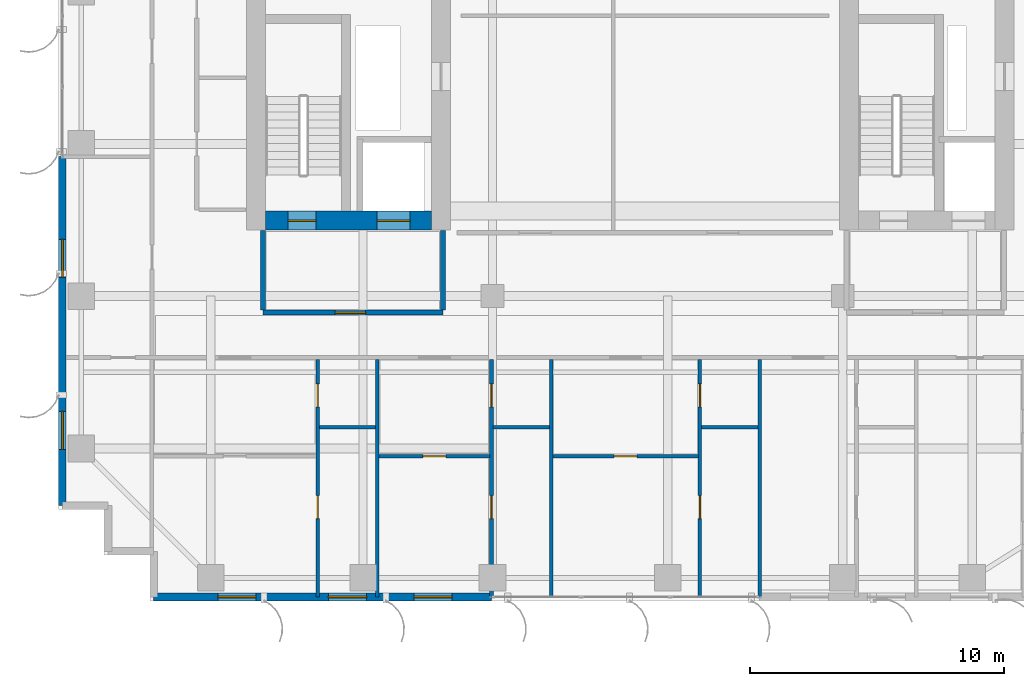
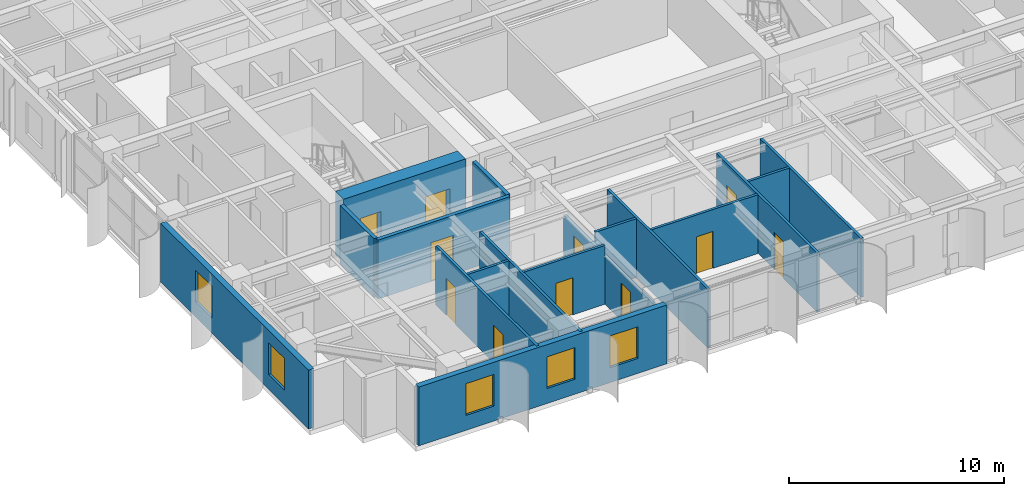
# One storey, part 13 of 22: 17 walls, 11 doors, 5 windows, 16 openings.
"""IFC4 building model written with IfcOpenShell, lengths in metres."""

from ifc_helpers import new_model, si_unit, direction, frame, frame_2d, origin, place, context, subcontext, project, spatial, rectangle, extrude, source, transform, mapped, material, layer, layer_set, type_object, element, fill, save


model = new_model("IFC4")

# Units and contexts
model_context = context("Model", 3, precision=1e-05, world=origin(), true_north=direction((0.0, 1.0)))
body_context = subcontext(model_context, "Body", "Model", "MODEL_VIEW")
ifc_project = project(units=[si_unit("LENGTHUNIT", "METRE"), si_unit("AREAUNIT", "SQUARE_METRE"), si_unit("VOLUMEUNIT", "CUBIC_METRE"), si_unit("PLANEANGLEUNIT", "RADIAN"), si_unit("MASSUNIT", "GRAM", prefix="KILO")], contexts=[model_context])

# Site, building, storey
site_placement = place(None, origin())
site = spatial("IfcSite", under=ifc_project, at=site_placement, CompositionType="ELEMENT")
building_placement = place(site_placement, origin())
building = spatial("IfcBuilding", under=site, at=building_placement, Name="Khoralis Quay Care Tower", CompositionType="ELEMENT")
storey_placement = place(building_placement, frame((0.0, 0.0, 98.10009765625)))
storey = spatial("IfcBuildingStorey", under=building, at=storey_placement, Name="L25", CompositionType="ELEMENT", Elevation=98.10009765625)

# Wall, opening, door
ifc_material_1 = material(Name="Gypsum plasterboard on acoustic metal stud")
ifc_layer_1 = layer(ifc_material_1, 0.199951171875)
ifc_layer_set_1 = layer_set([ifc_layer_1], Name="Gypsum plasterboard on acoustic metal stud")
wall_type_1 = type_object("IfcWallType", Name="WL-COMP-200", PredefinedType="PARTITIONING", material=ifc_layer_set_1)
wall_1_placement = place(storey_placement, frame((8.050048828125, 11.35009765625, 0.0), z_axis=(0.0, 0.0, 1.0), x_axis=(1.0, 0.0, 0.0)))
wall_1 = element("IfcWall", 1, at=wall_1_placement, inside=storey, type_object=wall_type_1, Name="L25 West Firefighting Lobby South Wall", PredefinedType="PARTITIONING", context=body_context, shape_type="SweptSolid", body=[
    extrude(rectangle(XDim=7.099853515625, YDim=0.199951171875, at=frame_2d((3.5498046875, 0.0))), origin(), (0.0, 0.0, 1.0), 3.33984375),
])
opening_1_placement = place(wall_1_placement, frame((2.846435546875, 0.0, 0.0)))
opening_1 = element("IfcOpeningElement", 2, at=opening_1_placement, cuts=wall_1, Name="Opening FD1", PredefinedType="OPENING", context=body_context, shape_type="SweptSolid", body=[
    extrude(rectangle(XDim=1.199951171875, YDim=2.199951171875, at=frame_2d((0.60009765625, 1.10009765625))), frame((0.0, 0.10986328125, 0.0), z_axis=(0.0, -1.0, 0.0), x_axis=(1.0, 0.0, 0.0)), (0.0, 0.0, 1.0), 0.219970703125),
])
ifc_material_2 = material(Name="Fire-rated painted steel", Category="steel")
door_type_1 = type_object("IfcDoorType", Name="DR-FFL-1200X2200", OperationType="NOTDEFINED", PredefinedType="DOOR", material=ifc_material_2)
shared_shape_1 = source(origin(), body_context, "Body", "SweptSolid", [
    extrude(rectangle(XDim=1.199951171875, YDim=2.199951171875, at=frame_2d((0.60009765625, 1.10009765625))), frame((0.0, 0.02490234375, 0.0), z_axis=(0.0, -1.0, 0.0), x_axis=(1.0, 0.0, 0.0)), (0.0, 0.0, 1.0), 0.050048828125),
])
door_1_placement = place(opening_1_placement, origin())
door_1 = element("IfcDoor", 3, at=door_1_placement, inside=storey, type_object=door_type_1, Name="L25 West Firefighting Lobby Fire Door", OperationType="SINGLE_SWING_LEFT", OverallHeight=2.199951171875, OverallWidth=1.199951171875, PredefinedType="DOOR", context=body_context, shape_type="MappedRepresentation", body=[
    mapped(shared_shape_1, transform((0.0, 0.0, 0.0), scale=1.0)),
])
fill(opening_1, door_1)

# Walls
for number, where, z_axis, x_axis, name in (
    (4, (8.050048828125, 11.445068359375, 0.0), (0.0, 0.0, 1.0), (0.0, 1.0, 0.0), "L25 West Firefighting Lobby West Wall"),
    (5, (15.14990234375, 11.445068359375, 0.0), (0.0, 0.0, 1.0), (0.0, 1.0, 0.0), "L25 West Firefighting Lobby East Wall"),
):
    element("IfcWall", number, at=place(storey_placement, frame(where, z_axis=z_axis, x_axis=x_axis)), inside=storey, type_object=wall_type_1, Name=name, PredefinedType="PARTITIONING", context=body_context, shape_type="SweptSolid", body=[
        extrude(rectangle(XDim=3.135009765625, YDim=0.199951171875, at=frame_2d((1.5673828125, 0.0))), origin(), (0.0, 0.0, 1.0), 3.33984375),
    ])

# Wall, openings, doors
ifc_material_3 = material(Name="Concrete C80/95", Category="concrete")
ifc_layer_2 = layer(ifc_material_3, 0.75)
ifc_layer_set_2 = layer_set([ifc_layer_2], Name="Concrete C80/95")
wall_type_2 = type_object("IfcWallType", Name="WL-CORE-750", PredefinedType="SHEAR", material=ifc_layer_set_2)
wall_2_placement = place(storey_placement, frame((8.14990234375, 14.97509765625, 0.0), z_axis=(0.0, 0.0, 1.0), x_axis=(1.0, 0.0, 0.0)))
wall_2 = element("IfcWall", 6, at=wall_2_placement, inside=storey, type_object=wall_type_2, Name="L25 WCORE South Shear Wall", PredefinedType="SHEAR", context=body_context, shape_type="SweptSolid", body=[
    extrude(rectangle(XDim=6.550048828125, YDim=0.75, at=frame_2d((3.27490234375, 0.0))), origin(), (0.0, 0.0, 1.0), 3.599853515625),
])
opening_2_placement = place(wall_2_placement, frame((0.89990234375, 0.0, 0.0)))
opening_2 = element("IfcOpeningElement", 7, at=opening_2_placement, cuts=wall_2, Name="Opening SD1", PredefinedType="OPENING", context=body_context, shape_type="SweptSolid", body=[
    extrude(rectangle(XDim=1.10009765625, YDim=2.199951171875, at=frame_2d((0.550048828125, 1.10009765625))), frame((0.0, 0.385009765625, 0.0), z_axis=(0.0, -1.0, 0.0), x_axis=(1.0, 0.0, 0.0)), (0.0, 0.0, 1.0), 0.77001953125),
])
opening_3_placement = place(wall_2_placement, frame((4.39990234375, 0.0, 0.0)))
opening_3 = element("IfcOpeningElement", 8, at=opening_3_placement, cuts=wall_2, Name="Opening LD2", PredefinedType="OPENING", context=body_context, shape_type="SweptSolid", body=[
    extrude(rectangle(XDim=1.300048828125, YDim=2.199951171875, at=frame_2d((0.64990234375, 1.10009765625))), frame((0.0, 0.385009765625, 0.0), z_axis=(0.0, -1.0, 0.0), x_axis=(1.0, 0.0, 0.0)), (0.0, 0.0, 1.0), 0.77001953125),
])
door_type_2 = type_object("IfcDoorType", Name="DR-STAIR-1100X2200", OperationType="NOTDEFINED", PredefinedType="DOOR", material=ifc_material_2)
shared_shape_2 = source(origin(), body_context, "Body", "SweptSolid", [
    extrude(rectangle(XDim=1.10009765625, YDim=2.199951171875, at=frame_2d((0.550048828125, 1.10009765625))), frame((0.0, 0.02490234375, 0.0), z_axis=(0.0, -1.0, 0.0), x_axis=(1.0, 0.0, 0.0)), (0.0, 0.0, 1.0), 0.050048828125),
])
door_2_placement = place(opening_2_placement, origin())
door_2 = element("IfcDoor", 9, at=door_2_placement, inside=storey, type_object=door_type_2, Name="L25 Stair ST-T1 Fire Door", OperationType="SINGLE_SWING_LEFT", OverallHeight=2.199951171875, OverallWidth=1.10009765625, PredefinedType="DOOR", context=body_context, shape_type="MappedRepresentation", body=[
    mapped(shared_shape_2, transform((0.0, 0.0, 0.0), scale=1.0)),
])
fill(opening_2, door_2)
ifc_material_4 = material(Name="Brushed stainless steel", Category="steel")
door_type_3 = type_object("IfcDoorType", Name="DR-LIFT-1300X2200", OperationType="SLIDING_TO_RIGHT", PredefinedType="DOOR", material=ifc_material_4)
shared_shape_3 = source(origin(), body_context, "Body", "SweptSolid", [
    extrude(rectangle(XDim=1.300048828125, YDim=2.199951171875, at=frame_2d((0.64990234375, 1.10009765625))), frame((0.0, 0.02490234375, 0.0), z_axis=(0.0, -1.0, 0.0), x_axis=(1.0, 0.0, 0.0)), (0.0, 0.0, 1.0), 0.050048828125),
])
door_3_placement = place(opening_3_placement, origin())
door_3 = element("IfcDoor", 10, at=door_3_placement, inside=storey, type_object=door_type_3, Name="L25 Firefighting Lift FFL-1 Landing Door", OperationType="SLIDING_TO_RIGHT", OverallHeight=2.199951171875, OverallWidth=1.300048828125, PredefinedType="DOOR", context=body_context, shape_type="MappedRepresentation", body=[
    mapped(shared_shape_3, transform((0.0, 0.0, 0.0), scale=1.0)),
])
fill(opening_3, door_3)

# Wall, openings, windows
ifc_material_5 = material(Name="Precast concrete C45/55", Category="concrete")
ifc_layer_3 = layer(ifc_material_5, 0.300048828125)
ifc_layer_set_3 = layer_set([ifc_layer_3], Name="Precast concrete C45/55")
wall_type_3 = type_object("IfcWallType", Name="WL-EXT-REF-300", PredefinedType="SOLIDWALL", material=ifc_layer_set_3)
wall_3_placement = place(storey_placement, frame((3.75, 0.14990234375, 0.0), z_axis=(0.0, 0.0, 1.0), x_axis=(1.0, 0.0, 0.0)))
wall_3 = element("IfcWall", 11, at=wall_3_placement, inside=storey, type_object=wall_type_3, Name="L25 External Facade Wall WL-EXT-L25-P1-E0A", PredefinedType="SOLIDWALL", context=body_context, shape_type="SweptSolid", body=[
    extrude(rectangle(XDim=13.31005859375, YDim=0.300048828125, at=frame_2d((6.655029296875, 0.0))), origin(), (0.0, 0.0, 1.0), 3.33984375),
])
opening_4_placement = place(wall_3_placement, frame((2.530029296875, 0.0, 0.85009765625)))
opening_4 = element("IfcOpeningElement", 12, at=opening_4_placement, cuts=wall_3, Name="Opening W3", PredefinedType="OPENING", context=body_context, shape_type="SweptSolid", body=[
    extrude(rectangle(XDim=1.5, YDim=1.800048828125, at=frame_2d((0.75, 0.89990234375))), frame((0.0, 0.16015625, 0.0), z_axis=(0.0, -1.0, 0.0), x_axis=(1.0, 0.0, 0.0)), (0.0, 0.0, 1.0), 0.320068359375),
])
opening_5_placement = place(wall_3_placement, frame((6.885009765625, 0.0, 0.85009765625)))
opening_5 = element("IfcOpeningElement", 13, at=opening_5_placement, cuts=wall_3, Name="Opening W3", PredefinedType="OPENING", context=body_context, shape_type="SweptSolid", body=[
    extrude(rectangle(XDim=1.5, YDim=1.800048828125, at=frame_2d((0.75, 0.89990234375))), frame((0.0, 0.16015625, 0.0), z_axis=(0.0, -1.0, 0.0), x_axis=(1.0, 0.0, 0.0)), (0.0, 0.0, 1.0), 0.320068359375),
])
opening_6_placement = place(wall_3_placement, frame((10.260009765625, 0.0, 0.85009765625)))
opening_6 = element("IfcOpeningElement", 14, at=opening_6_placement, cuts=wall_3, Name="Opening W3", PredefinedType="OPENING", context=body_context, shape_type="SweptSolid", body=[
    extrude(rectangle(XDim=1.5, YDim=1.800048828125, at=frame_2d((0.75, 0.89990234375))), frame((0.0, 0.16015625, 0.0), z_axis=(0.0, -1.0, 0.0), x_axis=(1.0, 0.0, 0.0)), (0.0, 0.0, 1.0), 0.320068359375),
])
ifc_material_6 = material(Name="Low-E solar-control double glazing", Category="glass")
window_type = type_object("IfcWindowType", Name="WN-CLIN-1500X1800", PartitioningType="SINGLE_PANEL", PredefinedType="WINDOW", material=ifc_material_6)
shared_shape_4 = source(origin(), body_context, "Body", "SweptSolid", [
    extrude(rectangle(XDim=1.5, YDim=1.800048828125, at=frame_2d((0.75, 0.89990234375))), frame((0.0, 0.030029296875, 0.0), z_axis=(0.0, -1.0, 0.0), x_axis=(1.0, 0.0, 0.0)), (0.0, 0.0, 1.0), 0.06005859375),
])
window_1_placement = place(opening_4_placement, origin())
window_1 = element("IfcWindow", 15, at=window_1_placement, inside=storey, type_object=window_type, Name="WN-L25-P1-E0A Facade Window 01", OverallHeight=1.800048828125, OverallWidth=1.5, PartitioningType="SINGLE_PANEL", PredefinedType="WINDOW", context=body_context, shape_type="MappedRepresentation", body=[
    mapped(shared_shape_4, transform((0.0, 0.0, 0.0), scale=1.0)),
])
fill(opening_4, window_1)
window_2_placement = place(opening_5_placement, origin())
window_2 = element("IfcWindow", 16, at=window_2_placement, inside=storey, type_object=window_type, Name="WN-L25-P1-E0A Facade Window 02", OverallHeight=1.800048828125, OverallWidth=1.5, PartitioningType="SINGLE_PANEL", PredefinedType="WINDOW", context=body_context, shape_type="MappedRepresentation", body=[
    mapped(shared_shape_4, transform((0.0, 0.0, 0.0), scale=1.0)),
])
fill(opening_5, window_2)
window_3_placement = place(opening_6_placement, origin())
window_3 = element("IfcWindow", 17, at=window_3_placement, inside=storey, type_object=window_type, Name="WN-L25-P1-E0A Facade Window 03", OverallHeight=1.800048828125, OverallWidth=1.5, PartitioningType="SINGLE_PANEL", PredefinedType="WINDOW", context=body_context, shape_type="MappedRepresentation", body=[
    mapped(shared_shape_4, transform((0.0, 0.0, 0.0), scale=1.0)),
])
fill(opening_6, window_3)

wall_4_placement = place(storey_placement, frame((0.14990234375, 17.5, 0.0), z_axis=(0.0, 0.0, 1.0), x_axis=(0.0, -1.0, 0.0)))
wall_4 = element("IfcWall", 18, at=wall_4_placement, inside=storey, type_object=wall_type_3, Name="L25 External Facade Wall WL-EXT-L25-P1-E15B", PredefinedType="SOLIDWALL", context=body_context, shape_type="SweptSolid", body=[
    extrude(rectangle(XDim=13.75, YDim=0.300048828125, at=frame_2d((6.875, 0.0))), origin(), (0.0, 0.0, 1.0), 3.33984375),
])
opening_7_placement = place(wall_4_placement, frame((3.260009765625, 0.0, 0.85009765625)))
opening_7 = element("IfcOpeningElement", 19, at=opening_7_placement, cuts=wall_4, Name="Opening W3", PredefinedType="OPENING", context=body_context, shape_type="SweptSolid", body=[
    extrude(rectangle(XDim=1.5, YDim=1.800048828125, at=frame_2d((0.75, 0.89990234375))), frame((0.0, 0.16015625, 0.0), z_axis=(0.0, -1.0, 0.0), x_axis=(1.0, 0.0, 0.0)), (0.0, 0.0, 1.0), 0.320068359375),
])
opening_8_placement = place(wall_4_placement, frame((10.034912109375, 0.0, 0.85009765625)))
opening_8 = element("IfcOpeningElement", 20, at=opening_8_placement, cuts=wall_4, Name="Opening W3", PredefinedType="OPENING", context=body_context, shape_type="SweptSolid", body=[
    extrude(rectangle(XDim=1.5, YDim=1.800048828125, at=frame_2d((0.75, 0.89990234375))), frame((0.0, 0.16015625, 0.0), z_axis=(0.0, -1.0, 0.0), x_axis=(1.0, 0.0, 0.0)), (0.0, 0.0, 1.0), 0.320068359375),
])
window_4_placement = place(opening_7_placement, origin())
window_4 = element("IfcWindow", 21, at=window_4_placement, inside=storey, type_object=window_type, Name="WN-L25-P1-E15B Facade Window 01", OverallHeight=1.800048828125, OverallWidth=1.5, PartitioningType="SINGLE_PANEL", PredefinedType="WINDOW", context=body_context, shape_type="MappedRepresentation", body=[
    mapped(shared_shape_4, transform((0.0, 0.0, 0.0), scale=1.0)),
])
fill(opening_7, window_4)
window_5_placement = place(opening_8_placement, origin())
window_5 = element("IfcWindow", 22, at=window_5_placement, inside=storey, type_object=window_type, Name="WN-L25-P1-E15B Facade Window 02", OverallHeight=1.800048828125, OverallWidth=1.5, PartitioningType="SINGLE_PANEL", PredefinedType="WINDOW", context=body_context, shape_type="MappedRepresentation", body=[
    mapped(shared_shape_4, transform((0.0, 0.0, 0.0), scale=1.0)),
])
fill(opening_8, window_5)

# Wall, openings, doors
ifc_material_7 = material(Name="Moisture-resistant gypsum and ceramic tile")
ifc_layer_4 = layer(ifc_material_7, 0.280029296875)
ifc_layer_set_4 = layer_set([ifc_layer_4], Name="Moisture-resistant gypsum and ceramic tile")
wall_type_4 = type_object("IfcWallType", Name="WL-PLUMB-280", PredefinedType="PLUMBINGWALL", material=ifc_layer_set_4)
wall_5_placement = place(storey_placement, frame((10.2099609375, 0.14501953125, 0.0), z_axis=(0.0, 0.0, 1.0), x_axis=(0.0, 1.0, 0.0)))
wall_5 = element("IfcWall", 23, at=wall_5_placement, inside=storey, type_object=wall_type_4, Name="L25 Care Suite 0 En-Suite Wall V", PredefinedType="PLUMBINGWALL", context=body_context, shape_type="SweptSolid", body=[
    extrude(rectangle(XDim=9.357421875, YDim=0.139892578125, at=frame_2d((4.6787109375, 0.0))), origin(), (0.0, 0.0, 1.0), 3.33984375),
])
opening_9_placement = place(wall_5_placement, frame((7.4951171875, 0.0, 0.0)))
opening_9 = element("IfcOpeningElement", 24, at=opening_9_placement, cuts=wall_5, Name="Opening WD1", PredefinedType="OPENING", context=body_context, shape_type="SweptSolid", body=[
    extrude(rectangle(XDim=0.89990234375, YDim=2.10009765625, at=frame_2d((0.449951171875, 1.050048828125))), frame((0.0, 0.080078125, 0.0), z_axis=(0.0, -1.0, 0.0), x_axis=(1.0, 0.0, 0.0)), (0.0, 0.0, 1.0), 0.159912109375),
])
opening_10_placement = place(wall_5_placement, frame((3.094970703125, 0.0, 0.0)))
opening_10 = element("IfcOpeningElement", 25, at=opening_10_placement, cuts=wall_5, Name="Opening WD1", PredefinedType="OPENING", context=body_context, shape_type="SweptSolid", body=[
    extrude(rectangle(XDim=0.89990234375, YDim=2.10009765625, at=frame_2d((0.449951171875, 1.050048828125))), frame((0.0, 0.080078125, 0.0), z_axis=(0.0, -1.0, 0.0), x_axis=(1.0, 0.0, 0.0)), (0.0, 0.0, 1.0), 0.159912109375),
])
ifc_material_8 = material(Name="Acoustic hardwood timber", Category="wood")
door_type_4 = type_object("IfcDoorType", Name="DR-BATH-900X2100", OperationType="NOTDEFINED", PredefinedType="DOOR", material=ifc_material_8)
shared_shape_5 = source(origin(), body_context, "Body", "SweptSolid", [
    extrude(rectangle(XDim=0.89990234375, YDim=2.10009765625, at=frame_2d((0.449951171875, 1.050048828125))), frame((0.0, 0.02490234375, 0.0), z_axis=(0.0, -1.0, 0.0), x_axis=(1.0, 0.0, 0.0)), (0.0, 0.0, 1.0), 0.050048828125),
])
door_4_placement = place(opening_9_placement, frame((0.89990234375, 0.0, 0.0), z_axis=(0.0, 0.0, 1.0), x_axis=(-1.0, 0.0, 0.0)))
door_4 = element("IfcDoor", 26, at=door_4_placement, inside=storey, type_object=door_type_4, Name="L25 Care CENS Door", OperationType="SINGLE_SWING_RIGHT", OverallHeight=2.10009765625, OverallWidth=0.89990234375, PredefinedType="DOOR", context=body_context, shape_type="MappedRepresentation", body=[
    mapped(shared_shape_5, transform((0.0, 0.0, 0.0), scale=1.0)),
])
fill(opening_9, door_4)
door_5_placement = place(opening_10_placement, frame((0.89990234375, 0.0, 0.0), z_axis=(0.0, 0.0, 1.0), x_axis=(-1.0, 0.0, 0.0)))
door_5 = element("IfcDoor", 27, at=door_5_placement, inside=storey, type_object=door_type_4, Name="L25 Care CSIT Door", OperationType="SINGLE_SWING_LEFT", OverallHeight=2.10009765625, OverallWidth=0.89990234375, PredefinedType="DOOR", context=body_context, shape_type="MappedRepresentation", body=[
    mapped(shared_shape_5, transform((0.0, 0.0, 0.0), scale=1.0)),
])
fill(opening_10, door_5)

# Wall
wall_6_placement = place(storey_placement, frame((10.27490234375, 6.830078125, 0.0), z_axis=(0.0, 0.0, 1.0), x_axis=(1.0, 0.0, 0.0)))
element("IfcWall", 28, at=wall_6_placement, inside=storey, type_object=wall_type_4, Name="L25 Care Suite 0 En-Suite Wall H", PredefinedType="PLUMBINGWALL", context=body_context, shape_type="SweptSolid", body=[
    extrude(rectangle(XDim=2.22021484375, YDim=0.139892578125, at=frame_2d((1.110107421875, 0.0))), origin(), (0.0, 0.0, 1.0), 3.33984375),
])

# Wall, openings, doors
wall_7_placement = place(storey_placement, frame((17.06005859375, 0.14501953125, 0.0), z_axis=(0.0, 0.0, 1.0), x_axis=(0.0, 1.0, 0.0)))
wall_7 = element("IfcWall", 29, at=wall_7_placement, inside=storey, type_object=wall_type_4, Name="L25 Care Suite 1 En-Suite Wall V", PredefinedType="PLUMBINGWALL", context=body_context, shape_type="SweptSolid", body=[
    extrude(rectangle(XDim=9.357421875, YDim=0.139892578125, at=frame_2d((4.6787109375, 0.0))), origin(), (0.0, 0.0, 1.0), 2.723876953125),
])
opening_11_placement = place(wall_7_placement, frame((7.4951171875, 0.0, 0.0)))
opening_11 = element("IfcOpeningElement", 30, at=opening_11_placement, cuts=wall_7, Name="Opening WD1", PredefinedType="OPENING", context=body_context, shape_type="SweptSolid", body=[
    extrude(rectangle(XDim=0.89990234375, YDim=2.10009765625, at=frame_2d((0.449951171875, 1.050048828125))), frame((0.0, 0.080078125, 0.0), z_axis=(0.0, -1.0, 0.0), x_axis=(1.0, 0.0, 0.0)), (0.0, 0.0, 1.0), 0.159912109375),
])
opening_12_placement = place(wall_7_placement, frame((3.094970703125, 0.0, 0.0)))
opening_12 = element("IfcOpeningElement", 31, at=opening_12_placement, cuts=wall_7, Name="Opening WD1", PredefinedType="OPENING", context=body_context, shape_type="SweptSolid", body=[
    extrude(rectangle(XDim=0.89990234375, YDim=2.10009765625, at=frame_2d((0.449951171875, 1.050048828125))), frame((0.0, 0.080078125, 0.0), z_axis=(0.0, -1.0, 0.0), x_axis=(1.0, 0.0, 0.0)), (0.0, 0.0, 1.0), 0.159912109375),
])
door_6_placement = place(opening_11_placement, frame((0.89990234375, 0.0, 0.0), z_axis=(0.0, 0.0, 1.0), x_axis=(-1.0, 0.0, 0.0)))
door_6 = element("IfcDoor", 32, at=door_6_placement, inside=storey, type_object=door_type_4, Name="L25 Care CENS Door", OperationType="SINGLE_SWING_LEFT", OverallHeight=2.10009765625, OverallWidth=0.89990234375, PredefinedType="DOOR", context=body_context, shape_type="MappedRepresentation", body=[
    mapped(shared_shape_5, transform((0.0, 0.0, 0.0), scale=1.0)),
])
fill(opening_11, door_6)
door_7_placement = place(opening_12_placement, frame((0.89990234375, 0.0, 0.0), z_axis=(0.0, 0.0, 1.0), x_axis=(-1.0, 0.0, 0.0)))
door_7 = element("IfcDoor", 33, at=door_7_placement, inside=storey, type_object=door_type_4, Name="L25 Care CSIT Door", OperationType="SINGLE_SWING_RIGHT", OverallHeight=2.10009765625, OverallWidth=0.89990234375, PredefinedType="DOOR", context=body_context, shape_type="MappedRepresentation", body=[
    mapped(shared_shape_5, transform((0.0, 0.0, 0.0), scale=1.0)),
])
fill(opening_12, door_7)

# Wall
wall_8_placement = place(storey_placement, frame((17.125, 6.830078125, 0.0), z_axis=(0.0, 0.0, 1.0), x_axis=(1.0, 0.0, 0.0)))
element("IfcWall", 34, at=wall_8_placement, inside=storey, type_object=wall_type_4, Name="L25 Care Suite 1 En-Suite Wall H", PredefinedType="PLUMBINGWALL", context=body_context, shape_type="SweptSolid", body=[
    extrude(rectangle(XDim=2.219970703125, YDim=0.139892578125, at=frame_2d((1.10986328125, 0.0))), origin(), (0.0, 0.0, 1.0), 3.33984375),
])

# Wall, openings, doors
wall_9_placement = place(storey_placement, frame((25.27001953125, 0.14501953125, 0.0), z_axis=(0.0, 0.0, 1.0), x_axis=(0.0, 1.0, 0.0)))
wall_9 = element("IfcWall", 35, at=wall_9_placement, inside=storey, type_object=wall_type_4, Name="L25 Care Suite 2 En-Suite Wall V", PredefinedType="PLUMBINGWALL", context=body_context, shape_type="SweptSolid", body=[
    extrude(rectangle(XDim=9.357421875, YDim=0.139892578125, at=frame_2d((4.6787109375, 0.0))), origin(), (0.0, 0.0, 1.0), 3.33984375),
])
opening_13_placement = place(wall_9_placement, frame((7.4951171875, 0.0, 0.0)))
opening_13 = element("IfcOpeningElement", 36, at=opening_13_placement, cuts=wall_9, Name="Opening WD1", PredefinedType="OPENING", context=body_context, shape_type="SweptSolid", body=[
    extrude(rectangle(XDim=0.89990234375, YDim=2.10009765625, at=frame_2d((0.449951171875, 1.050048828125))), frame((0.0, 0.080078125, 0.0), z_axis=(0.0, -1.0, 0.0), x_axis=(1.0, 0.0, 0.0)), (0.0, 0.0, 1.0), 0.159912109375),
])
opening_14_placement = place(wall_9_placement, frame((3.094970703125, 0.0, 0.0)))
opening_14 = element("IfcOpeningElement", 37, at=opening_14_placement, cuts=wall_9, Name="Opening WD1", PredefinedType="OPENING", context=body_context, shape_type="SweptSolid", body=[
    extrude(rectangle(XDim=0.89990234375, YDim=2.10009765625, at=frame_2d((0.449951171875, 1.050048828125))), frame((0.0, 0.080078125, 0.0), z_axis=(0.0, -1.0, 0.0), x_axis=(1.0, 0.0, 0.0)), (0.0, 0.0, 1.0), 0.159912109375),
])
door_8_placement = place(opening_13_placement, frame((0.89990234375, 0.0, 0.0), z_axis=(0.0, 0.0, 1.0), x_axis=(-1.0, 0.0, 0.0)))
door_8 = element("IfcDoor", 38, at=door_8_placement, inside=storey, type_object=door_type_4, Name="L25 Care CENS Door", OperationType="SINGLE_SWING_RIGHT", OverallHeight=2.10009765625, OverallWidth=0.89990234375, PredefinedType="DOOR", context=body_context, shape_type="MappedRepresentation", body=[
    mapped(shared_shape_5, transform((0.0, 0.0, 0.0), scale=1.0)),
])
fill(opening_13, door_8)
door_9_placement = place(opening_14_placement, frame((0.89990234375, 0.0, 0.0), z_axis=(0.0, 0.0, 1.0), x_axis=(-1.0, 0.0, 0.0)))
door_9 = element("IfcDoor", 39, at=door_9_placement, inside=storey, type_object=door_type_4, Name="L25 Care CSIT Door", OperationType="SINGLE_SWING_LEFT", OverallHeight=2.10009765625, OverallWidth=0.89990234375, PredefinedType="DOOR", context=body_context, shape_type="MappedRepresentation", body=[
    mapped(shared_shape_5, transform((0.0, 0.0, 0.0), scale=1.0)),
])
fill(opening_14, door_9)

# Walls
wall_10_placement = place(storey_placement, frame((25.3349609375, 6.830078125, 0.0), z_axis=(0.0, 0.0, 1.0), x_axis=(1.0, 0.0, 0.0)))
element("IfcWall", 40, at=wall_10_placement, inside=storey, type_object=wall_type_4, Name="L25 Care Suite 2 En-Suite Wall H", PredefinedType="PLUMBINGWALL", context=body_context, shape_type="SweptSolid", body=[
    extrude(rectangle(XDim=2.219970703125, YDim=0.139892578125, at=frame_2d((1.10986328125, 0.0))), origin(), (0.0, 0.0, 1.0), 3.33984375),
])
ifc_layer_5 = layer(ifc_material_1, 0.139892578125)
ifc_layer_set_5 = layer_set([ifc_layer_5], Name="Gypsum plasterboard on acoustic metal stud")
wall_type_5 = type_object("IfcWallType", Name="WL-UNIT-140", PredefinedType="PARTITIONING", material=ifc_layer_set_5)
for number, where, z_axis, x_axis, name in (
    (41, (12.56005859375, 0.14501953125, 0.0), (0.0, 0.0, 1.0), (0.0, 1.0, 0.0), "L25 SB Demising Wall 1"),
    (42, (19.409912109375, 0.14501953125, 0.0), (0.0, 0.0, 1.0), (0.0, 1.0, 0.0), "L25 SB Demising Wall 2"),
    (43, (27.6201171875, 0.14501953125, 0.0), (0.0, 0.0, 1.0), (0.0, 1.0, 0.0), "L25 SB Demising Wall 3"),
):
    element("IfcWall", number, at=place(storey_placement, frame(where, z_axis=z_axis, x_axis=x_axis)), inside=storey, type_object=wall_type_5, Name=name, PredefinedType="PARTITIONING", context=body_context, shape_type="SweptSolid", body=[
        extrude(rectangle(XDim=9.357421875, YDim=0.139892578125, at=frame_2d((4.6787109375, 0.0))), origin(), (0.0, 0.0, 1.0), 3.33984375),
    ])

# Wall, opening, door
wall_11_placement = place(storey_placement, frame((12.625, 5.68994140625, 0.0), z_axis=(0.0, 0.0, 1.0), x_axis=(1.0, 0.0, 0.0)))
wall_11 = element("IfcWall", 44, at=wall_11_placement, inside=storey, type_object=wall_type_5, Name="Skilled Care Bedroom L25-SB1 Sub-Partition", PredefinedType="PARTITIONING", context=body_context, shape_type="SweptSolid", body=[
    extrude(rectangle(XDim=4.3701171875, YDim=0.139892578125, at=frame_2d((2.18505859375, 0.0))), origin(), (0.0, 0.0, 1.0), 3.33984375),
])
opening_15_placement = place(wall_11_placement, frame((1.735107421875, 0.0, 0.0)))
opening_15 = element("IfcOpeningElement", 45, at=opening_15_placement, cuts=wall_11, Name="Opening WD1", PredefinedType="OPENING", context=body_context, shape_type="SweptSolid", body=[
    extrude(rectangle(XDim=0.89990234375, YDim=2.10009765625, at=frame_2d((0.449951171875, 1.050048828125))), frame((0.0, 0.080078125, 0.0), z_axis=(0.0, -1.0, 0.0), x_axis=(1.0, 0.0, 0.0)), (0.0, 0.0, 1.0), 0.159912109375),
])
door_10_placement = place(opening_15_placement, origin())
door_10 = element("IfcDoor", 46, at=door_10_placement, inside=storey, type_object=door_type_4, Name="Private Study & Reading Alcove ARE1 Door", OperationType="SINGLE_SWING_LEFT", OverallHeight=2.10009765625, OverallWidth=0.89990234375, PredefinedType="DOOR", context=body_context, shape_type="MappedRepresentation", body=[
    mapped(shared_shape_5, transform((0.0, 0.0, 0.0), scale=1.0)),
])
fill(opening_15, door_10)

wall_12_placement = place(storey_placement, frame((19.47509765625, 5.68994140625, 0.0), z_axis=(0.0, 0.0, 1.0), x_axis=(1.0, 0.0, 0.0)))
wall_12 = element("IfcWall", 47, at=wall_12_placement, inside=storey, type_object=wall_type_5, Name="Skilled Care Bedroom L25-SB2 Sub-Partition", PredefinedType="PARTITIONING", context=body_context, shape_type="SweptSolid", body=[
    extrude(rectangle(XDim=5.72998046875, YDim=0.139892578125, at=frame_2d((2.864990234375, 0.0))), origin(), (0.0, 0.0, 1.0), 3.33984375),
])
opening_16_placement = place(wall_12_placement, frame((2.4150390625, 0.0, 0.0)))
opening_16 = element("IfcOpeningElement", 48, at=opening_16_placement, cuts=wall_12, Name="Opening WD1", PredefinedType="OPENING", context=body_context, shape_type="SweptSolid", body=[
    extrude(rectangle(XDim=0.89990234375, YDim=2.10009765625, at=frame_2d((0.449951171875, 1.050048828125))), frame((0.0, 0.080078125, 0.0), z_axis=(0.0, -1.0, 0.0), x_axis=(1.0, 0.0, 0.0)), (0.0, 0.0, 1.0), 0.159912109375),
])
door_11_placement = place(opening_16_placement, origin())
door_11 = element("IfcDoor", 49, at=door_11_placement, inside=storey, type_object=door_type_4, Name="Private Study & Reading Alcove ARE2 Door", OperationType="SINGLE_SWING_LEFT", OverallHeight=2.10009765625, OverallWidth=0.89990234375, PredefinedType="DOOR", context=body_context, shape_type="MappedRepresentation", body=[
    mapped(shared_shape_5, transform((0.0, 0.0, 0.0), scale=1.0)),
])
fill(opening_16, door_11)

save(model, "model.ifc")
